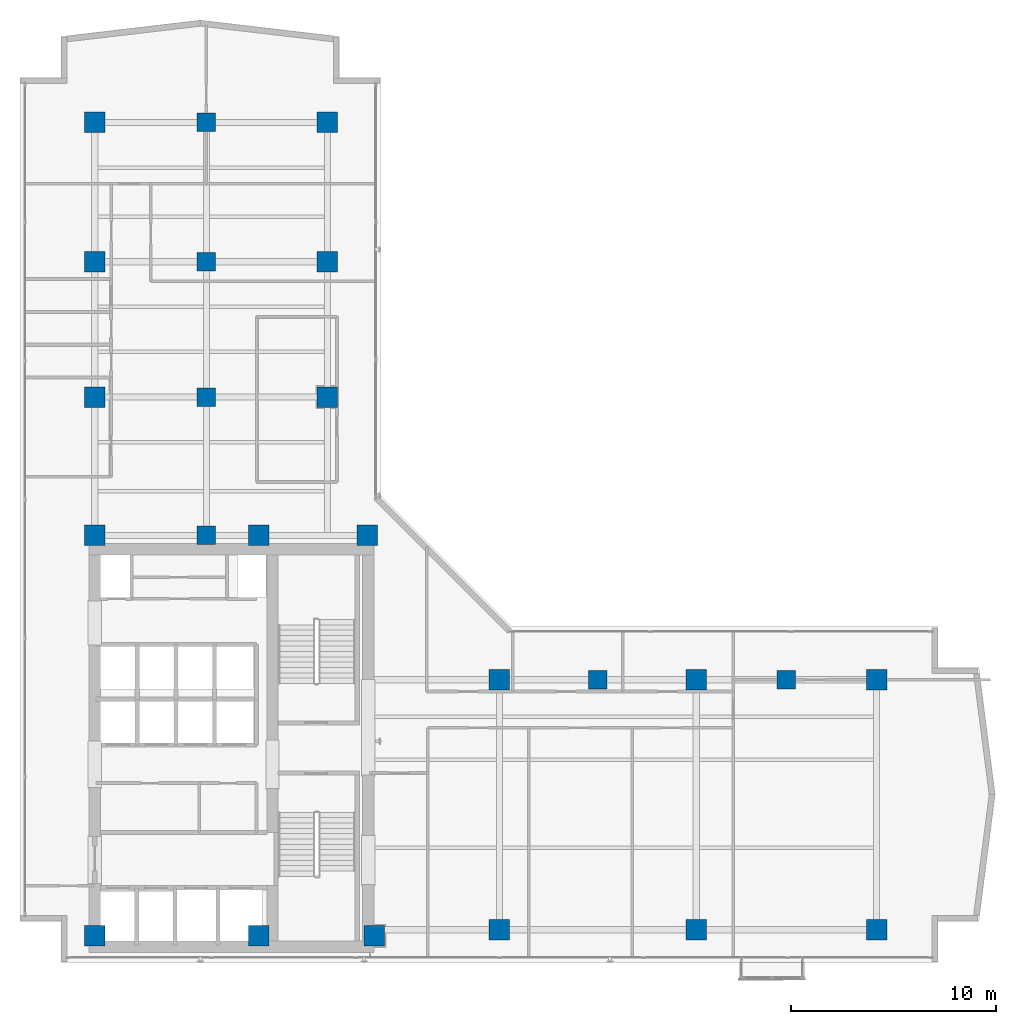
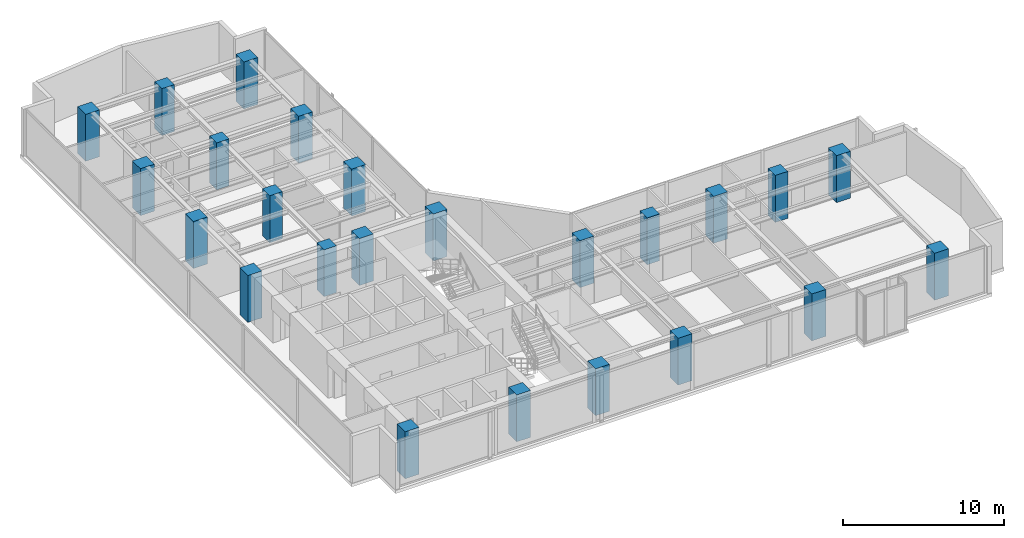
# One storey, part 1 of 23: 24 columns.
"""IFC4 building model written with IfcOpenShell, lengths in metres."""

from ifc_helpers import new_model, si_unit, direction, frame, origin, origin_2d, place, context, subcontext, project, spatial, rectangle, extrude, material, material_profile, profile_set, type_object, element, save


model = new_model("IFC4")

# Units and contexts
model_context = context("Model", 3, precision=1e-05, world=origin(), true_north=direction((0.0, 1.0)))
body_context = subcontext(model_context, "Body", "Model", "MODEL_VIEW")
ifc_project = project(units=[si_unit("LENGTHUNIT", "METRE"), si_unit("AREAUNIT", "SQUARE_METRE"), si_unit("VOLUMEUNIT", "CUBIC_METRE"), si_unit("PLANEANGLEUNIT", "RADIAN"), si_unit("MASSUNIT", "GRAM", prefix="KILO")], contexts=[model_context])

# Site, building, storey
site_placement = place(None, origin())
site = spatial("IfcSite", under=ifc_project, at=site_placement, CompositionType="ELEMENT")
building_placement = place(site_placement, origin())
building = spatial("IfcBuilding", under=site, at=building_placement, Name="Kolvaren Waterfront Exchange", CompositionType="ELEMENT")
storey_placement = place(building_placement, frame((0.0, 0.0, 212.10009765625)))
storey = spatial("IfcBuildingStorey", under=building, at=storey_placement, Name="L54", CompositionType="ELEMENT", Elevation=212.10009765625)

# Columns
ifc_material = material(Name="Concrete C50/60", Category="concrete")
ifc_material_profile_1 = material_profile(ifc_material, rectangle(XDim=1.0, YDim=1.0, at=origin_2d()), Name="RC-COL-1000x1000")
ifc_profile_set_1 = profile_set([ifc_material_profile_1], Name="Concrete C50/60")
column_type_1 = type_object("IfcColumnType", Name="STR-COL-1000-C50", PredefinedType="COLUMN", material=ifc_profile_set_1)
for number, where, z_axis, x_axis, name in (
    (1, (7.449951171875, 4.89990234375, 0.0), (0.0, 0.0, 1.0), (1.0, 0.0, 0.0), "L54 column MC01"),
    (2, (15.449951171875, 4.89990234375, 0.0), (0.0, 0.0, 1.0), (1.0, 0.0, 0.0), "L54 column MC02"),
    (3, (21.10009765625, 4.89990234375, 0.0), (0.0, 0.0, 1.0), (1.0, 0.0, 0.0), "L54 column MC03"),
    (4, (7.449951171875, 24.449951171875, 0.0), (0.0, 0.0, 1.0), (1.0, 0.0, 0.0), "L54 column MC04"),
    (5, (15.449951171875, 24.449951171875, 0.0), (0.0, 0.0, 1.0), (1.0, 0.0, 0.0), "L54 column MC05"),
    (6, (20.75, 24.449951171875, 0.0), (0.0, 0.0, 1.0), (1.0, 0.0, 0.0), "L54 column MC06"),
    (7, (7.449951171875, 31.199951171875, 0.0), (0.0, 0.0, 1.0), (1.0, 0.0, 0.0), "L54 column NC01"),
    (8, (7.449951171875, 37.800048828125, 0.0), (0.0, 0.0, 1.0), (1.0, 0.0, 0.0), "L54 column NC02"),
    (9, (7.449951171875, 44.60009765625, 0.0), (0.0, 0.0, 1.0), (1.0, 0.0, 0.0), "L54 column NC03"),
    (10, (18.800048828125, 31.199951171875, 0.0), (0.0, 0.0, 1.0), (1.0, 0.0, 0.0), "L54 column NC04"),
    (11, (18.800048828125, 37.800048828125, 0.0), (0.0, 0.0, 1.0), (1.0, 0.0, 0.0), "L54 column NC05"),
    (12, (18.800048828125, 44.60009765625, 0.0), (0.0, 0.0, 1.0), (1.0, 0.0, 0.0), "L54 column NC06"),
    (13, (27.199951171875, 5.199951171875, 0.0), (0.0, 0.0, 1.0), (1.0, 0.0, 0.0), "L54 column EC01"),
    (14, (36.800048828125, 5.199951171875, 0.0), (0.0, 0.0, 1.0), (1.0, 0.0, 0.0), "L54 column EC02"),
    (15, (45.60009765625, 5.199951171875, 0.0), (0.0, 0.0, 1.0), (1.0, 0.0, 0.0), "L54 column EC03"),
    (16, (27.199951171875, 17.39990234375, 0.0), (0.0, 0.0, 1.0), (1.0, 0.0, 0.0), "L54 column EC04"),
    (17, (36.800048828125, 17.39990234375, 0.0), (0.0, 0.0, 1.0), (1.0, 0.0, 0.0), "L54 column EC05"),
    (18, (45.60009765625, 17.39990234375, 0.0), (0.0, 0.0, 1.0), (1.0, 0.0, 0.0), "L54 column EC06"),
):
    element("IfcColumn", number, at=place(storey_placement, frame(where, z_axis=z_axis, x_axis=x_axis)), inside=storey, type_object=column_type_1, Name=name, PredefinedType="COLUMN", context=body_context, shape_type="SweptSolid", body=[
        extrude(rectangle(XDim=1.0, YDim=1.0, at=origin_2d()), origin(), (0.0, 0.0, 1.0), 3.559814453125),
    ])
ifc_material_profile_2 = material_profile(ifc_material, rectangle(XDim=0.89990234375, YDim=0.89990234375, at=origin_2d()), Name="RC-COL-900x900")
ifc_profile_set_2 = profile_set([ifc_material_profile_2], Name="Concrete C50/60")
column_type_2 = type_object("IfcColumnType", Name="STR-COL-900-C50", PredefinedType="COLUMN", material=ifc_profile_set_2)
for number, where, z_axis, x_axis, name in (
    (19, (12.89990234375, 24.449951171875, 0.0), (0.0, 0.0, 1.0), (1.0, 0.0, 0.0), "L54 column TC01"),
    (20, (12.89990234375, 31.199951171875, 0.0), (0.0, 0.0, 1.0), (1.0, 0.0, 0.0), "L54 column TC02"),
    (21, (12.89990234375, 37.800048828125, 0.0), (0.0, 0.0, 1.0), (1.0, 0.0, 0.0), "L54 column TC03"),
    (22, (12.89990234375, 44.60009765625, 0.0), (0.0, 0.0, 1.0), (1.0, 0.0, 0.0), "L54 column TC04"),
    (23, (32.0, 17.39990234375, 0.0), (0.0, 0.0, 1.0), (1.0, 0.0, 0.0), "L54 column TC05"),
    (24, (41.199951171875, 17.39990234375, 0.0), (0.0, 0.0, 1.0), (1.0, 0.0, 0.0), "L54 column TC06"),
):
    element("IfcColumn", number, at=place(storey_placement, frame(where, z_axis=z_axis, x_axis=x_axis)), inside=storey, type_object=column_type_2, Name=name, PredefinedType="COLUMN", context=body_context, shape_type="SweptSolid", body=[
        extrude(rectangle(XDim=0.89990234375, YDim=0.89990234375, at=origin_2d()), origin(), (0.0, 0.0, 1.0), 3.559814453125),
    ])

save(model, "model.ifc")
